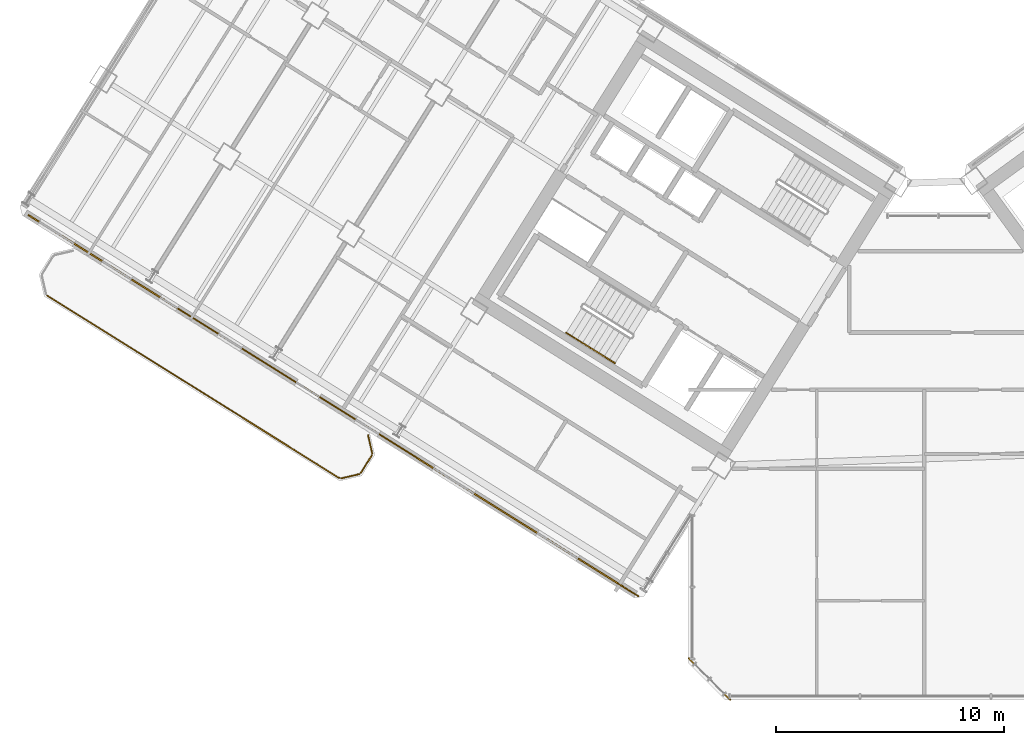
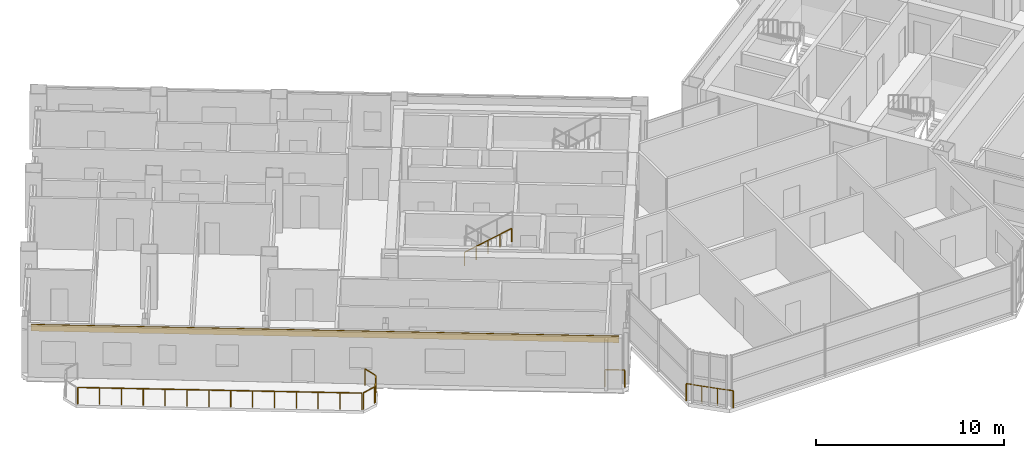
# One storey, part 22 of 29: 8 railings, 1 covering.
"""IFC4 building model written with IfcOpenShell, lengths in metres."""

from ifc_helpers import new_model, si_unit, direction, frame, origin, origin_2d, place, context, subcontext, project, spatial, rectangle, extrude, source, transform, mapped, material, layer, layer_set, type_object, element, save


model = new_model("IFC4")

# Units and contexts
model_context = context("Model", 3, precision=1e-05, world=origin(), true_north=direction((0.0, 1.0)))
body_context = subcontext(model_context, "Body", "Model", "MODEL_VIEW")
ifc_project = project(units=[si_unit("LENGTHUNIT", "METRE"), si_unit("AREAUNIT", "SQUARE_METRE"), si_unit("VOLUMEUNIT", "CUBIC_METRE"), si_unit("PLANEANGLEUNIT", "RADIAN"), si_unit("MASSUNIT", "GRAM", prefix="KILO")], contexts=[model_context])

# Site, building, storey
site_placement = place(None, origin())
site = spatial("IfcSite", under=ifc_project, at=site_placement, CompositionType="ELEMENT")
building_placement = place(site_placement, origin())
building = spatial("IfcBuilding", under=site, at=building_placement, Name="Tlacorven Tower", CompositionType="ELEMENT")
storey_placement = place(building_placement, frame((0.0, 0.0, 165.89990234375)))
storey = spatial("IfcBuildingStorey", under=building, at=storey_placement, Name="L42", CompositionType="ELEMENT", Elevation=165.89990234375)

# Railings
ifc_material_1 = material(Name="Aluminium and painted steel balustrade", Category="steel")
railing_type_1 = type_object("IfcRailingType", Name="RL-BAL-1100", PredefinedType="BALUSTRADE", material=ifc_material_1)
shared_shape_1 = source(origin(), body_context, "Body", "SweptSolid", [
    extrude(rectangle(XDim=0.048095703125, YDim=0.048095703125, at=origin_2d()), frame((0.0, 0.0, 1.076171875), z_axis=(0.225058334816, -0.974345290916, 0.0), x_axis=(0.974345290916, 0.225058334816, 0.0)), (0.0, 0.0, 1.0), 0.80712890625),
    extrude(rectangle(XDim=0.0419921875, YDim=0.0419921875, at=origin_2d()), origin(), (0.0, 0.0, 1.0), 1.052001953125),
    extrude(rectangle(XDim=0.0419921875, YDim=0.0419921875, at=origin_2d()), frame((0.181640625, -0.786376953125, 0.0)), (0.0, 0.0, 1.0), 1.052001953125),
])
railing_1_placement = place(storey_placement, frame((17.5244140625, 13.413330078125, 0.0)))
element("IfcRailing", 1, at=railing_1_placement, inside=storey, type_object=railing_type_1, Name="BAL-L42-W-OUT Guard Railing 1", PredefinedType="BALUSTRADE", context=body_context, shape_type="MappedRepresentation", body=[
    mapped(shared_shape_1, transform((0.0, 0.0, 0.0), scale=1.0)),
])
shared_shape_2 = source(origin(), body_context, "Body", "SweptSolid", [
    extrude(rectangle(XDim=0.048095703125, YDim=0.048095703125, at=origin_2d()), frame((0.0, 0.0, 1.076171875), z_axis=(-0.52987865805, -0.848073468364, 0.0), x_axis=(0.848073468364, -0.52987865805, 0.0)), (0.0, 0.0, 1.0), 0.912353515625),
    extrude(rectangle(XDim=0.0419921875, YDim=0.0419921875, at=origin_2d()), origin(), (0.0, 0.0, 1.0), 1.052001953125),
    extrude(rectangle(XDim=0.0419921875, YDim=0.0419921875, at=origin_2d()), frame((-0.4833984375, -0.773681640625, 0.0)), (0.0, 0.0, 1.0), 1.052001953125),
])
railing_2_placement = place(storey_placement, frame((17.690673828125, 12.535888671875, 0.0)))
element("IfcRailing", 2, at=railing_2_placement, inside=storey, type_object=railing_type_1, Name="BAL-L42-W-OUT Guard Railing 2", PredefinedType="BALUSTRADE", context=body_context, shape_type="MappedRepresentation", body=[
    mapped(shared_shape_2, transform((0.0, 0.0, 0.0), scale=1.0)),
])
shared_shape_3 = source(origin(), body_context, "Body", "SweptSolid", [
    extrude(rectangle(XDim=0.048095703125, YDim=0.048095703125, at=origin_2d()), frame((0.0, 0.0, 1.076171875), z_axis=(-0.974411586182, -0.224771129628, 0.0), x_axis=(0.224771129628, -0.974411586182, 0.0)), (0.0, 0.0, 1.0), 0.80712890625),
    extrude(rectangle(XDim=0.0419921875, YDim=0.0419921875, at=origin_2d()), origin(), (0.0, 0.0, 1.0), 1.052001953125),
    extrude(rectangle(XDim=0.0419921875, YDim=0.0419921875, at=origin_2d()), frame((-0.786376953125, -0.181396484375, 0.0)), (0.0, 0.0, 1.0), 1.052001953125),
])
railing_3_placement = place(storey_placement, frame((17.132080078125, 11.70849609375, 0.0)))
element("IfcRailing", 3, at=railing_3_placement, inside=storey, type_object=railing_type_1, Name="BAL-L42-W-OUT Guard Railing 3", PredefinedType="BALUSTRADE", context=body_context, shape_type="MappedRepresentation", body=[
    mapped(shared_shape_3, transform((0.0, 0.0, 0.0), scale=1.0)),
])
shared_shape_4 = source(origin(), body_context, "Body", "SweptSolid", [
    extrude(rectangle(XDim=0.048095703125, YDim=0.048095703125, at=origin_2d()), frame((0.0, 0.0, 1.076171875), z_axis=(-0.848044572804, 0.529924902733, 0.0), x_axis=(-0.529924902733, -0.848044572804, 0.0)), (0.0, 0.0, 1.0), 15.1171875),
    extrude(rectangle(XDim=0.0419921875, YDim=0.0419921875, at=origin_2d()), origin(), (0.0, 0.0, 1.0), 1.052001953125),
    extrude(rectangle(XDim=0.0419921875, YDim=0.0419921875, at=origin_2d()), frame((-0.986083984375, 0.6162109375, 0.0)), (0.0, 0.0, 1.0), 1.052001953125),
    extrude(rectangle(XDim=0.0419921875, YDim=0.0419921875, at=origin_2d()), frame((-1.972412109375, 1.232421875, 0.0)), (0.0, 0.0, 1.0), 1.052001953125),
    extrude(rectangle(XDim=0.0419921875, YDim=0.0419921875, at=origin_2d()), frame((-2.95849609375, 1.8486328125, 0.0)), (0.0, 0.0, 1.0), 1.052001953125),
    extrude(rectangle(XDim=0.0419921875, YDim=0.0419921875, at=origin_2d()), frame((-3.944580078125, 2.46484375, 0.0)), (0.0, 0.0, 1.0), 1.052001953125),
    extrude(rectangle(XDim=0.0419921875, YDim=0.0419921875, at=origin_2d()), frame((-4.930908203125, 3.0810546875, 0.0)), (0.0, 0.0, 1.0), 1.052001953125),
    extrude(rectangle(XDim=0.0419921875, YDim=0.0419921875, at=origin_2d()), frame((-5.9169921875, 3.697265625, 0.0)), (0.0, 0.0, 1.0), 1.052001953125),
    extrude(rectangle(XDim=0.0419921875, YDim=0.0419921875, at=origin_2d()), frame((-6.903076171875, 4.313720703125, 0.0)), (0.0, 0.0, 1.0), 1.052001953125),
    extrude(rectangle(XDim=0.0419921875, YDim=0.0419921875, at=origin_2d()), frame((-7.88916015625, 4.929931640625, 0.0)), (0.0, 0.0, 1.0), 1.052001953125),
    extrude(rectangle(XDim=0.0419921875, YDim=0.0419921875, at=origin_2d()), frame((-8.87548828125, 5.546142578125, 0.0)), (0.0, 0.0, 1.0), 1.052001953125),
    extrude(rectangle(XDim=0.0419921875, YDim=0.0419921875, at=origin_2d()), frame((-9.861572265625, 6.162353515625, 0.0)), (0.0, 0.0, 1.0), 1.052001953125),
    extrude(rectangle(XDim=0.0419921875, YDim=0.0419921875, at=origin_2d()), frame((-10.84765625, 6.778564453125, 0.0)), (0.0, 0.0, 1.0), 1.052001953125),
    extrude(rectangle(XDim=0.0419921875, YDim=0.0419921875, at=origin_2d()), frame((-11.833984375, 7.394775390625, 0.0)), (0.0, 0.0, 1.0), 1.052001953125),
    extrude(rectangle(XDim=0.0419921875, YDim=0.0419921875, at=origin_2d()), frame((-12.820068359375, 8.010986328125, 0.0)), (0.0, 0.0, 1.0), 1.052001953125),
])
railing_4_placement = place(storey_placement, frame((16.254638671875, 11.542236328125, 0.0)))
element("IfcRailing", 4, at=railing_4_placement, inside=storey, type_object=railing_type_1, Name="BAL-L42-W-OUT Guard Railing 4", PredefinedType="BALUSTRADE", context=body_context, shape_type="MappedRepresentation", body=[
    mapped(shared_shape_4, transform((0.0, 0.0, 0.0), scale=1.0)),
])
railing_type_2 = type_object("IfcRailingType", Name="RL-GRD-1150", PredefinedType="GUARDRAIL", material=ifc_material_1)
shared_shape_5 = source(origin(), body_context, "Body", "SweptSolid", [
    extrude(rectangle(XDim=0.048095703125, YDim=0.048095703125, at=origin_2d()), frame((0.0, 0.0, 1.1259765625), z_axis=(-0.707106781187, 0.707106781187, 0.0), x_axis=(-0.707106781187, -0.707106781187, 0.0)), (0.0, 0.0, 1.0), 2.590087890625),
    extrude(rectangle(XDim=0.0419921875, YDim=0.0419921875, at=origin_2d()), origin(), (0.0, 0.0, 1.0), 1.101806640625),
    extrude(rectangle(XDim=0.0419921875, YDim=0.0419921875, at=origin_2d()), frame((-0.610595703125, 0.610595703125, 0.0)), (0.0, 0.0, 1.0), 1.101806640625),
    extrude(rectangle(XDim=0.0419921875, YDim=0.0419921875, at=origin_2d()), frame((-1.220947265625, 1.220947265625, 0.0)), (0.0, 0.0, 1.0), 1.101806640625),
    extrude(rectangle(XDim=0.0419921875, YDim=0.0419921875, at=origin_2d()), frame((-1.83154296875, 1.83154296875, 0.0)), (0.0, 0.0, 1.0), 1.101806640625),
])
railing_5_placement = place(storey_placement, frame((33.428955078125, 1.79736328125, 0.0)))
element("IfcRailing", 5, at=railing_5_placement, inside=storey, type_object=railing_type_2, Name="L42 Knuckle Glazed Sill Guard 1", PredefinedType="GUARDRAIL", context=body_context, shape_type="MappedRepresentation", body=[
    mapped(shared_shape_5, transform((0.0, 0.0, 0.0), scale=1.0)),
])
shared_shape_6 = source(origin(), body_context, "Body", "SweptSolid", [
    extrude(rectangle(XDim=0.048095703125, YDim=0.048095703125, at=origin_2d()), frame((0.0, 0.0, 1.1259765625), z_axis=(-0.848102774857, 0.529831749973, 0.0), x_axis=(-0.529831749973, -0.848102774857, 0.0)), (0.0, 0.0, 1.0), 1.050048828125),
    extrude(rectangle(XDim=0.0419921875, YDim=0.0419921875, at=origin_2d()), origin(), (0.0, 0.0, 1.0), 1.101806640625),
    extrude(rectangle(XDim=0.0419921875, YDim=0.0419921875, at=origin_2d()), frame((-0.890625, 0.556396484375, 0.0)), (0.0, 0.0, 1.0), 1.101806640625),
])
railing_6_placement = place(storey_placement, frame((29.39501953125, 6.35009765625, 0.0)))
element("IfcRailing", 6, at=railing_6_placement, inside=storey, type_object=railing_type_2, Name="L42 Knuckle Glazed Sill Guard 2", PredefinedType="GUARDRAIL", context=body_context, shape_type="MappedRepresentation", body=[
    mapped(shared_shape_6, transform((0.0, 0.0, 0.0), scale=1.0)),
])

# Covering
ifc_material_2 = material(Name="Precast concrete C45/55", Category="concrete")
ifc_layer = layer(ifc_material_2, 0.06005859375)
ifc_layer_set = layer_set([ifc_layer], Name="Precast concrete C45/55")
covering_type = type_object("IfcCoveringType", Name="CV-CLD-TERC", PredefinedType="CLADDING", material=ifc_layer_set)
shared_shape_7 = source(origin(), body_context, "Body", "SweptSolid", [
    extrude(rectangle(XDim=31.287353515625, YDim=0.06005859375, at=origin_2d()), origin(), (0.0, 0.0, 1.0), 0.419921875),
])
covering_placement = place(storey_placement, frame((15.8740234375, 14.798828125, 2.900146484375), z_axis=(0.0, 0.0, 1.0), x_axis=(-0.84804812172, 0.529919223323, 0.0)))
element("IfcCovering", 7, at=covering_placement, inside=storey, type_object=covering_type, Name="L42 Masonry-Frame Spandrel Cladding 1", PredefinedType="CLADDING", context=body_context, shape_type="MappedRepresentation", body=[
    mapped(shared_shape_7, transform((0.0, 0.0, 0.0), scale=1.0)),
])

# Railings
railing_type_3 = type_object("IfcRailingType", Name="RL-HND-0900", PredefinedType="HANDRAIL", material=ifc_material_1)
shared_shape_8 = source(origin(), body_context, "Body", "SweptSolid", [
    extrude(rectangle(XDim=0.048095703125, YDim=0.048095703125, at=origin_2d()), frame((0.0, 0.0, 0.8759765625), z_axis=(0.713359751793, -0.4457479829, 0.540764828981), x_axis=(0.529911857636, 0.848052724267, 0.0)), (0.0, 0.0, 1.0), 1.498046875),
    extrude(rectangle(XDim=0.0419921875, YDim=0.0419921875, at=origin_2d()), origin(), (0.0, 0.0, 1.0), 0.851806640625),
    extrude(rectangle(XDim=0.0419921875, YDim=0.0419921875, at=origin_2d()), frame((0.5341796875, -0.333984375, 0.405029296875)), (0.0, 0.0, 1.0), 0.851806640625),
    extrude(rectangle(XDim=0.0419921875, YDim=0.0419921875, at=origin_2d()), frame((1.068603515625, -0.667724609375, 0.81005859375)), (0.0, 0.0, 1.0), 0.851806640625),
])
railing_7_placement = place(storey_placement, frame((26.228759765625, 17.915283203125, 1.97998046875)))
element("IfcRailing", 8, at=railing_7_placement, inside=storey, type_object=railing_type_3, Name="L42 ST-W1 stair handrail 3", PredefinedType="HANDRAIL", context=body_context, shape_type="MappedRepresentation", body=[
    mapped(shared_shape_8, transform((0.0, 0.0, 0.0), scale=1.0)),
])
shared_shape_9 = source(origin(), body_context, "Body", "SweptSolid", [
    extrude(rectangle(XDim=0.048095703125, YDim=0.048095703125, at=origin_2d()), frame((0.0, 0.0, 0.8759765625), z_axis=(0.713279695859, -0.445799809912, 0.540827703579), x_axis=(0.529998940003, 0.847998304005, 0.0)), (0.0, 0.0, 1.0), 1.497802734375),
    extrude(rectangle(XDim=0.0419921875, YDim=0.0419921875, at=origin_2d()), origin(), (0.0, 0.0, 1.0), 0.851806640625),
    extrude(rectangle(XDim=0.0419921875, YDim=0.0419921875, at=origin_2d()), frame((0.5341796875, -0.333984375, 0.405029296875)), (0.0, 0.0, 1.0), 0.851806640625),
    extrude(rectangle(XDim=0.0419921875, YDim=0.0419921875, at=origin_2d()), frame((1.068359375, -0.667724609375, 0.81005859375)), (0.0, 0.0, 1.0), 0.851806640625),
])
railing_8_placement = place(storey_placement, frame((27.29736328125, 17.24755859375, 2.7900390625)))
element("IfcRailing", 9, at=railing_8_placement, inside=storey, type_object=railing_type_3, Name="L42 ST-W1 stair handrail 4", PredefinedType="HANDRAIL", context=body_context, shape_type="MappedRepresentation", body=[
    mapped(shared_shape_9, transform((0.0, 0.0, 0.0), scale=1.0)),
])

save(model, "model.ifc")
